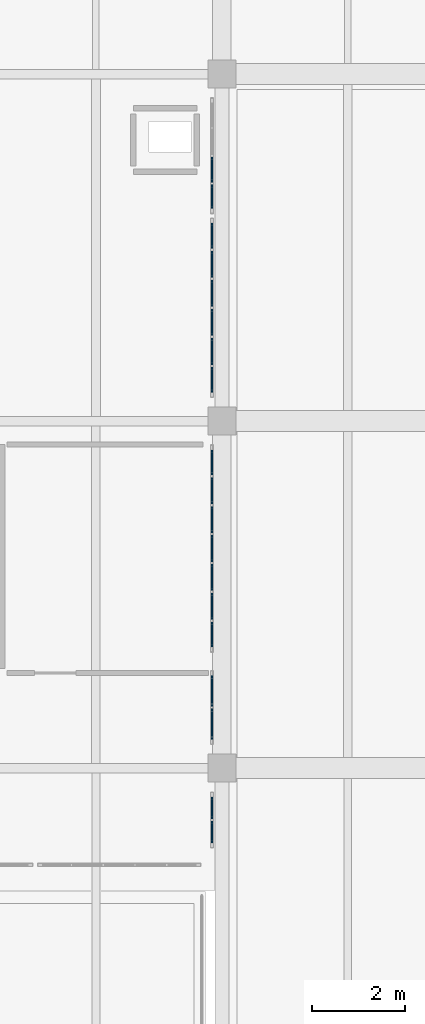
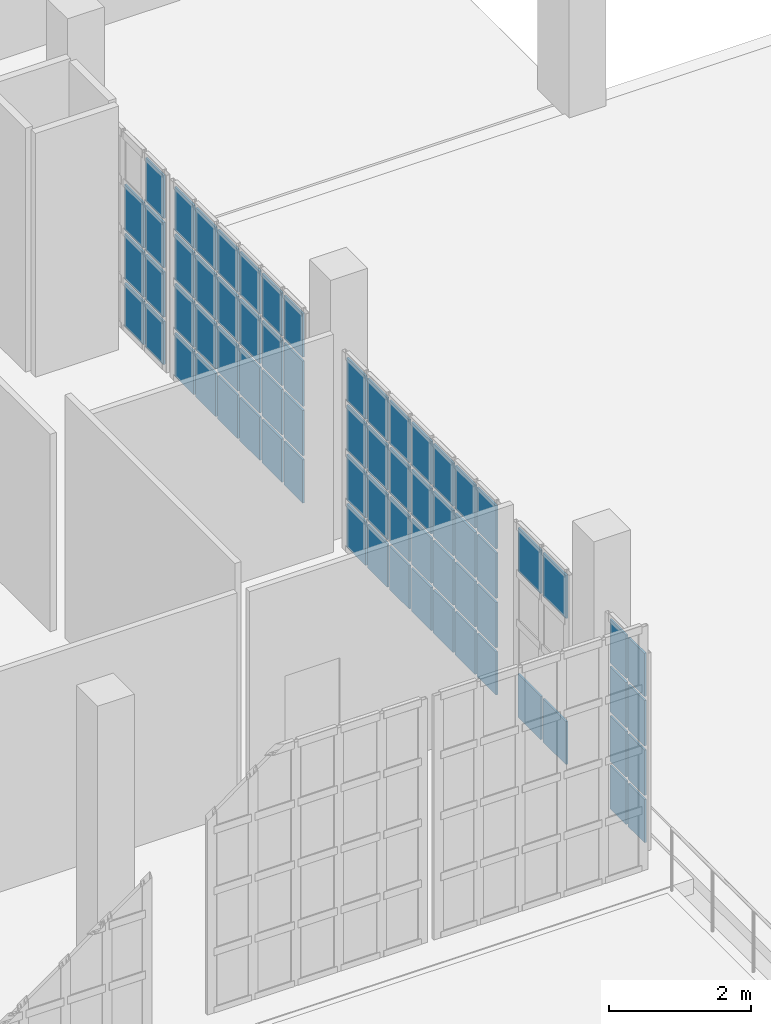
# One storey, part 57 of 73: 71 plates, 5 elements without a shape of their own.
"""IFC4 building model written with IfcOpenShell, lengths in metres."""

from ifc_helpers import new_model, si_unit, direction, frame, origin, origin_2d, place, context, subcontext, project, spatial, rectangle, extrude, material, layer, layer_set, type_object, element, aggregate, save


model = new_model("IFC4")

# Units and contexts
model_context = context("Model", 3, precision=1e-05, world=origin(), true_north=direction((0.0, 1.0)))
body_context = subcontext(model_context, "Body", "Model", "MODEL_VIEW")
ifc_project = project(units=[si_unit("LENGTHUNIT", "METRE"), si_unit("AREAUNIT", "SQUARE_METRE"), si_unit("VOLUMEUNIT", "CUBIC_METRE"), si_unit("PLANEANGLEUNIT", "RADIAN"), si_unit("MASSUNIT", "GRAM", prefix="KILO")], contexts=[model_context])

# Site, building, storey
site_placement = place(None, origin())
site = spatial("IfcSite", under=ifc_project, at=site_placement, CompositionType="ELEMENT")
building_placement = place(site_placement, origin())
building = spatial("IfcBuilding", under=site, at=building_placement, Name="Kaelora Sail Theatre", CompositionType="ELEMENT")
storey_placement = place(building_placement, frame((0.0, 0.0, 10.199951171875)))
storey = spatial("IfcBuildingStorey", under=building, at=storey_placement, Name="L02", CompositionType="ELEMENT", Elevation=10.199951171875)

# Curtain wall, plates
ifc_material_1 = material(Name="Anodised aluminium and solar-control low-E IGU", Category="aluminium")
curtain_wall_type = type_object("IfcCurtainWallType", Name="ARC-CW-CW-BRG", PredefinedType="NOTDEFINED", material=ifc_material_1)
curtain_wall_1_placement = place(storey_placement, origin())
curtain_wall_1 = element("IfcCurtainWall", 1, at=curtain_wall_1_placement, inside=storey, type_object=curtain_wall_type, Name="Glazed Colonnade/Courtyard Curtain Wall FC2-STEP-E-L02-01", PredefinedType="NOTDEFINED")
ifc_material_2 = material(Name="Solar-control laminated low-E glass", Category="glass")
ifc_layer = layer(ifc_material_2, 0.031982421875)
ifc_layer_set = layer_set([ifc_layer], Name="Solar-control laminated low-E glass")
plate_type = type_object("IfcPlateType", Name="ARC-CW-PNL", PredefinedType="CURTAIN_PANEL", material=ifc_layer_set)
plate_1_placement = place(storey_placement, frame((122.7900390625, 67.090087890625, 0.070068359375), z_axis=(0.0, 0.0, 1.0), x_axis=(0.0, 1.0, 0.0)))
plate_1 = element("IfcPlate", 2, at=plate_1_placement, type_object=plate_type, Name="CW-BRG panel 1.1", PredefinedType="CURTAIN_PANEL", context=body_context, shape_type="SweptSolid", body=[
    extrude(rectangle(XDim=0.4599609375, YDim=0.031982421875, at=origin_2d()), origin(), (0.0, 0.0, 1.0), 0.74658203125),
])
plate_2_placement = place(storey_placement, frame((122.7900390625, 67.090087890625, 0.88671875), z_axis=(0.0, 0.0, 1.0), x_axis=(0.0, 1.0, 0.0)))
plate_2 = element("IfcPlate", 3, at=plate_2_placement, type_object=plate_type, Name="CW-BRG panel 1.2", PredefinedType="CURTAIN_PANEL", context=body_context, shape_type="SweptSolid", body=[
    extrude(rectangle(XDim=0.4599609375, YDim=0.031982421875, at=origin_2d()), origin(), (0.0, 0.0, 1.0), 0.78173828125),
])
plate_3_placement = place(storey_placement, frame((122.7900390625, 67.090087890625, 1.738525390625), z_axis=(0.0, 0.0, 1.0), x_axis=(0.0, 1.0, 0.0)))
plate_3 = element("IfcPlate", 4, at=plate_3_placement, type_object=plate_type, Name="CW-BRG panel 1.3", PredefinedType="CURTAIN_PANEL", context=body_context, shape_type="SweptSolid", body=[
    extrude(rectangle(XDim=0.4599609375, YDim=0.031982421875, at=origin_2d()), origin(), (0.0, 0.0, 1.0), 0.78173828125),
])
plate_4_placement = place(storey_placement, frame((122.7900390625, 67.090087890625, 2.59033203125), z_axis=(0.0, 0.0, 1.0), x_axis=(0.0, 1.0, 0.0)))
plate_4 = element("IfcPlate", 5, at=plate_4_placement, type_object=plate_type, Name="CW-BRG panel 1.4", PredefinedType="CURTAIN_PANEL", context=body_context, shape_type="SweptSolid", body=[
    extrude(rectangle(XDim=0.4599609375, YDim=0.031982421875, at=origin_2d()), origin(), (0.0, 0.0, 1.0), 0.74658203125),
])
plate_5_placement = place(storey_placement, frame((122.7900390625, 67.610107421875, 0.070068359375), z_axis=(0.0, 0.0, 1.0), x_axis=(0.0, 1.0, 0.0)))
plate_5 = element("IfcPlate", 6, at=plate_5_placement, type_object=plate_type, Name="CW-BRG panel 2.1", PredefinedType="CURTAIN_PANEL", context=body_context, shape_type="SweptSolid", body=[
    extrude(rectangle(XDim=0.4599609375, YDim=0.031982421875, at=origin_2d()), origin(), (0.0, 0.0, 1.0), 0.74658203125),
])
plate_6_placement = place(storey_placement, frame((122.7900390625, 67.610107421875, 0.88671875), z_axis=(0.0, 0.0, 1.0), x_axis=(0.0, 1.0, 0.0)))
plate_6 = element("IfcPlate", 7, at=plate_6_placement, type_object=plate_type, Name="CW-BRG panel 2.2", PredefinedType="CURTAIN_PANEL", context=body_context, shape_type="SweptSolid", body=[
    extrude(rectangle(XDim=0.4599609375, YDim=0.031982421875, at=origin_2d()), origin(), (0.0, 0.0, 1.0), 0.78173828125),
])
plate_7_placement = place(storey_placement, frame((122.7900390625, 67.610107421875, 1.738525390625), z_axis=(0.0, 0.0, 1.0), x_axis=(0.0, 1.0, 0.0)))
plate_7 = element("IfcPlate", 8, at=plate_7_placement, type_object=plate_type, Name="CW-BRG panel 2.3", PredefinedType="CURTAIN_PANEL", context=body_context, shape_type="SweptSolid", body=[
    extrude(rectangle(XDim=0.4599609375, YDim=0.031982421875, at=origin_2d()), origin(), (0.0, 0.0, 1.0), 0.78173828125),
])
plate_8_placement = place(storey_placement, frame((122.7900390625, 67.610107421875, 2.59033203125), z_axis=(0.0, 0.0, 1.0), x_axis=(0.0, 1.0, 0.0)))
plate_8 = element("IfcPlate", 9, at=plate_8_placement, type_object=plate_type, Name="CW-BRG panel 2.4", PredefinedType="CURTAIN_PANEL", context=body_context, shape_type="SweptSolid", body=[
    extrude(rectangle(XDim=0.4599609375, YDim=0.031982421875, at=origin_2d()), origin(), (0.0, 0.0, 1.0), 0.74658203125),
])
aggregate(curtain_wall_1, [plate_1, plate_2, plate_3, plate_4, plate_5, plate_6, plate_7, plate_8])

curtain_wall_2_placement = place(storey_placement, origin())
curtain_wall_2 = element("IfcCurtainWall", 10, at=curtain_wall_2_placement, inside=storey, type_object=curtain_wall_type, Name="Glazed Colonnade/Courtyard Curtain Wall FC2-STEP-E-L02-01", PredefinedType="NOTDEFINED")
plate_9_placement = place(storey_placement, frame((122.7900390625, 69.405029296875, 0.070068359375), z_axis=(0.0, 0.0, 1.0), x_axis=(0.0, 1.0, 0.0)))
plate_9 = element("IfcPlate", 11, at=plate_9_placement, type_object=plate_type, Name="CW-BRG panel 1.1", PredefinedType="CURTAIN_PANEL", context=body_context, shape_type="SweptSolid", body=[
    extrude(rectangle(XDim=0.64990234375, YDim=0.031982421875, at=origin_2d()), origin(), (0.0, 0.0, 1.0), 0.74658203125),
])
plate_10_placement = place(storey_placement, frame((122.7900390625, 69.405029296875, 2.59033203125), z_axis=(0.0, 0.0, 1.0), x_axis=(0.0, 1.0, 0.0)))
plate_10 = element("IfcPlate", 12, at=plate_10_placement, type_object=plate_type, Name="CW-BRG panel 1.4", PredefinedType="CURTAIN_PANEL", context=body_context, shape_type="SweptSolid", body=[
    extrude(rectangle(XDim=0.64990234375, YDim=0.031982421875, at=origin_2d()), origin(), (0.0, 0.0, 1.0), 0.74658203125),
])
plate_11_placement = place(storey_placement, frame((122.7900390625, 70.114990234375, 0.070068359375), z_axis=(0.0, 0.0, 1.0), x_axis=(0.0, 1.0, 0.0)))
plate_11 = element("IfcPlate", 13, at=plate_11_placement, type_object=plate_type, Name="CW-BRG panel 2.1", PredefinedType="CURTAIN_PANEL", context=body_context, shape_type="SweptSolid", body=[
    extrude(rectangle(XDim=0.64990234375, YDim=0.031982421875, at=origin_2d()), origin(), (0.0, 0.0, 1.0), 0.74658203125),
])
plate_12_placement = place(storey_placement, frame((122.7900390625, 70.114990234375, 2.59033203125), z_axis=(0.0, 0.0, 1.0), x_axis=(0.0, 1.0, 0.0)))
plate_12 = element("IfcPlate", 14, at=plate_12_placement, type_object=plate_type, Name="CW-BRG panel 2.4", PredefinedType="CURTAIN_PANEL", context=body_context, shape_type="SweptSolid", body=[
    extrude(rectangle(XDim=0.64990234375, YDim=0.031982421875, at=origin_2d()), origin(), (0.0, 0.0, 1.0), 0.74658203125),
])
aggregate(curtain_wall_2, [plate_9, plate_10, plate_11, plate_12])

curtain_wall_3_placement = place(storey_placement, origin())
curtain_wall_3 = element("IfcCurtainWall", 15, at=curtain_wall_3_placement, inside=storey, type_object=curtain_wall_type, Name="Glazed Colonnade/Courtyard Curtain Wall FC2-STEP-E-L02-02", PredefinedType="NOTDEFINED")
plate_13_placement = place(storey_placement, frame((122.7900390625, 71.324951171875, 0.070068359375), z_axis=(0.0, 0.0, 1.0), x_axis=(0.0, 1.0, 0.0)))
plate_13 = element("IfcPlate", 16, at=plate_13_placement, type_object=plate_type, Name="CW-BRG panel 1.1", PredefinedType="CURTAIN_PANEL", context=body_context, shape_type="SweptSolid", body=[
    extrude(rectangle(XDim=0.530029296875, YDim=0.031982421875, at=origin_2d()), origin(), (0.0, 0.0, 1.0), 0.74658203125),
])
plate_14_placement = place(storey_placement, frame((122.7900390625, 71.324951171875, 0.88671875), z_axis=(0.0, 0.0, 1.0), x_axis=(0.0, 1.0, 0.0)))
plate_14 = element("IfcPlate", 17, at=plate_14_placement, type_object=plate_type, Name="CW-BRG panel 1.2", PredefinedType="CURTAIN_PANEL", context=body_context, shape_type="SweptSolid", body=[
    extrude(rectangle(XDim=0.530029296875, YDim=0.031982421875, at=origin_2d()), origin(), (0.0, 0.0, 1.0), 0.78173828125),
])
plate_15_placement = place(storey_placement, frame((122.7900390625, 71.324951171875, 1.738525390625), z_axis=(0.0, 0.0, 1.0), x_axis=(0.0, 1.0, 0.0)))
plate_15 = element("IfcPlate", 18, at=plate_15_placement, type_object=plate_type, Name="CW-BRG panel 1.3", PredefinedType="CURTAIN_PANEL", context=body_context, shape_type="SweptSolid", body=[
    extrude(rectangle(XDim=0.530029296875, YDim=0.031982421875, at=origin_2d()), origin(), (0.0, 0.0, 1.0), 0.78173828125),
])
plate_16_placement = place(storey_placement, frame((122.7900390625, 71.324951171875, 2.59033203125), z_axis=(0.0, 0.0, 1.0), x_axis=(0.0, 1.0, 0.0)))
plate_16 = element("IfcPlate", 19, at=plate_16_placement, type_object=plate_type, Name="CW-BRG panel 1.4", PredefinedType="CURTAIN_PANEL", context=body_context, shape_type="SweptSolid", body=[
    extrude(rectangle(XDim=0.530029296875, YDim=0.031982421875, at=origin_2d()), origin(), (0.0, 0.0, 1.0), 0.74658203125),
])
plate_17_placement = place(storey_placement, frame((122.7900390625, 71.929931640625, 0.070068359375), z_axis=(0.0, 0.0, 1.0), x_axis=(0.0, 1.0, 0.0)))
plate_17 = element("IfcPlate", 20, at=plate_17_placement, type_object=plate_type, Name="CW-BRG panel 2.1", PredefinedType="CURTAIN_PANEL", context=body_context, shape_type="SweptSolid", body=[
    extrude(rectangle(XDim=0.56005859375, YDim=0.031982421875, at=origin_2d()), origin(), (0.0, 0.0, 1.0), 0.74658203125),
])
plate_18_placement = place(storey_placement, frame((122.7900390625, 71.929931640625, 0.88671875), z_axis=(0.0, 0.0, 1.0), x_axis=(0.0, 1.0, 0.0)))
plate_18 = element("IfcPlate", 21, at=plate_18_placement, type_object=plate_type, Name="CW-BRG panel 2.2", PredefinedType="CURTAIN_PANEL", context=body_context, shape_type="SweptSolid", body=[
    extrude(rectangle(XDim=0.56005859375, YDim=0.031982421875, at=origin_2d()), origin(), (0.0, 0.0, 1.0), 0.78173828125),
])
plate_19_placement = place(storey_placement, frame((122.7900390625, 71.929931640625, 1.738525390625), z_axis=(0.0, 0.0, 1.0), x_axis=(0.0, 1.0, 0.0)))
plate_19 = element("IfcPlate", 22, at=plate_19_placement, type_object=plate_type, Name="CW-BRG panel 2.3", PredefinedType="CURTAIN_PANEL", context=body_context, shape_type="SweptSolid", body=[
    extrude(rectangle(XDim=0.56005859375, YDim=0.031982421875, at=origin_2d()), origin(), (0.0, 0.0, 1.0), 0.78173828125),
])
plate_20_placement = place(storey_placement, frame((122.7900390625, 71.929931640625, 2.59033203125), z_axis=(0.0, 0.0, 1.0), x_axis=(0.0, 1.0, 0.0)))
plate_20 = element("IfcPlate", 23, at=plate_20_placement, type_object=plate_type, Name="CW-BRG panel 2.4", PredefinedType="CURTAIN_PANEL", context=body_context, shape_type="SweptSolid", body=[
    extrude(rectangle(XDim=0.56005859375, YDim=0.031982421875, at=origin_2d()), origin(), (0.0, 0.0, 1.0), 0.74658203125),
])
plate_21_placement = place(storey_placement, frame((122.7900390625, 72.550048828125, 0.070068359375), z_axis=(0.0, 0.0, 1.0), x_axis=(0.0, 1.0, 0.0)))
plate_21 = element("IfcPlate", 24, at=plate_21_placement, type_object=plate_type, Name="CW-BRG panel 3.1", PredefinedType="CURTAIN_PANEL", context=body_context, shape_type="SweptSolid", body=[
    extrude(rectangle(XDim=0.56005859375, YDim=0.031982421875, at=origin_2d()), origin(), (0.0, 0.0, 1.0), 0.74658203125),
])
plate_22_placement = place(storey_placement, frame((122.7900390625, 72.550048828125, 0.88671875), z_axis=(0.0, 0.0, 1.0), x_axis=(0.0, 1.0, 0.0)))
plate_22 = element("IfcPlate", 25, at=plate_22_placement, type_object=plate_type, Name="CW-BRG panel 3.2", PredefinedType="CURTAIN_PANEL", context=body_context, shape_type="SweptSolid", body=[
    extrude(rectangle(XDim=0.56005859375, YDim=0.031982421875, at=origin_2d()), origin(), (0.0, 0.0, 1.0), 0.78173828125),
])
plate_23_placement = place(storey_placement, frame((122.7900390625, 72.550048828125, 1.738525390625), z_axis=(0.0, 0.0, 1.0), x_axis=(0.0, 1.0, 0.0)))
plate_23 = element("IfcPlate", 26, at=plate_23_placement, type_object=plate_type, Name="CW-BRG panel 3.3", PredefinedType="CURTAIN_PANEL", context=body_context, shape_type="SweptSolid", body=[
    extrude(rectangle(XDim=0.56005859375, YDim=0.031982421875, at=origin_2d()), origin(), (0.0, 0.0, 1.0), 0.78173828125),
])
plate_24_placement = place(storey_placement, frame((122.7900390625, 72.550048828125, 2.59033203125), z_axis=(0.0, 0.0, 1.0), x_axis=(0.0, 1.0, 0.0)))
plate_24 = element("IfcPlate", 27, at=plate_24_placement, type_object=plate_type, Name="CW-BRG panel 3.4", PredefinedType="CURTAIN_PANEL", context=body_context, shape_type="SweptSolid", body=[
    extrude(rectangle(XDim=0.56005859375, YDim=0.031982421875, at=origin_2d()), origin(), (0.0, 0.0, 1.0), 0.74658203125),
])
plate_25_placement = place(storey_placement, frame((122.7900390625, 73.169921875, 0.070068359375), z_axis=(0.0, 0.0, 1.0), x_axis=(0.0, 1.0, 0.0)))
plate_25 = element("IfcPlate", 28, at=plate_25_placement, type_object=plate_type, Name="CW-BRG panel 4.1", PredefinedType="CURTAIN_PANEL", context=body_context, shape_type="SweptSolid", body=[
    extrude(rectangle(XDim=0.56005859375, YDim=0.031982421875, at=origin_2d()), origin(), (0.0, 0.0, 1.0), 0.74658203125),
])
plate_26_placement = place(storey_placement, frame((122.7900390625, 73.169921875, 0.88671875), z_axis=(0.0, 0.0, 1.0), x_axis=(0.0, 1.0, 0.0)))
plate_26 = element("IfcPlate", 29, at=plate_26_placement, type_object=plate_type, Name="CW-BRG panel 4.2", PredefinedType="CURTAIN_PANEL", context=body_context, shape_type="SweptSolid", body=[
    extrude(rectangle(XDim=0.56005859375, YDim=0.031982421875, at=origin_2d()), origin(), (0.0, 0.0, 1.0), 0.78173828125),
])
plate_27_placement = place(storey_placement, frame((122.7900390625, 73.169921875, 1.738525390625), z_axis=(0.0, 0.0, 1.0), x_axis=(0.0, 1.0, 0.0)))
plate_27 = element("IfcPlate", 30, at=plate_27_placement, type_object=plate_type, Name="CW-BRG panel 4.3", PredefinedType="CURTAIN_PANEL", context=body_context, shape_type="SweptSolid", body=[
    extrude(rectangle(XDim=0.56005859375, YDim=0.031982421875, at=origin_2d()), origin(), (0.0, 0.0, 1.0), 0.78173828125),
])
plate_28_placement = place(storey_placement, frame((122.7900390625, 73.169921875, 2.59033203125), z_axis=(0.0, 0.0, 1.0), x_axis=(0.0, 1.0, 0.0)))
plate_28 = element("IfcPlate", 31, at=plate_28_placement, type_object=plate_type, Name="CW-BRG panel 4.4", PredefinedType="CURTAIN_PANEL", context=body_context, shape_type="SweptSolid", body=[
    extrude(rectangle(XDim=0.56005859375, YDim=0.031982421875, at=origin_2d()), origin(), (0.0, 0.0, 1.0), 0.74658203125),
])
plate_29_placement = place(storey_placement, frame((122.7900390625, 73.7900390625, 0.070068359375), z_axis=(0.0, 0.0, 1.0), x_axis=(0.0, 1.0, 0.0)))
plate_29 = element("IfcPlate", 32, at=plate_29_placement, type_object=plate_type, Name="CW-BRG panel 5.1", PredefinedType="CURTAIN_PANEL", context=body_context, shape_type="SweptSolid", body=[
    extrude(rectangle(XDim=0.56005859375, YDim=0.031982421875, at=origin_2d()), origin(), (0.0, 0.0, 1.0), 0.74658203125),
])
plate_30_placement = place(storey_placement, frame((122.7900390625, 73.7900390625, 0.88671875), z_axis=(0.0, 0.0, 1.0), x_axis=(0.0, 1.0, 0.0)))
plate_30 = element("IfcPlate", 33, at=plate_30_placement, type_object=plate_type, Name="CW-BRG panel 5.2", PredefinedType="CURTAIN_PANEL", context=body_context, shape_type="SweptSolid", body=[
    extrude(rectangle(XDim=0.56005859375, YDim=0.031982421875, at=origin_2d()), origin(), (0.0, 0.0, 1.0), 0.78173828125),
])
plate_31_placement = place(storey_placement, frame((122.7900390625, 73.7900390625, 1.738525390625), z_axis=(0.0, 0.0, 1.0), x_axis=(0.0, 1.0, 0.0)))
plate_31 = element("IfcPlate", 34, at=plate_31_placement, type_object=plate_type, Name="CW-BRG panel 5.3", PredefinedType="CURTAIN_PANEL", context=body_context, shape_type="SweptSolid", body=[
    extrude(rectangle(XDim=0.56005859375, YDim=0.031982421875, at=origin_2d()), origin(), (0.0, 0.0, 1.0), 0.78173828125),
])
plate_32_placement = place(storey_placement, frame((122.7900390625, 73.7900390625, 2.59033203125), z_axis=(0.0, 0.0, 1.0), x_axis=(0.0, 1.0, 0.0)))
plate_32 = element("IfcPlate", 35, at=plate_32_placement, type_object=plate_type, Name="CW-BRG panel 5.4", PredefinedType="CURTAIN_PANEL", context=body_context, shape_type="SweptSolid", body=[
    extrude(rectangle(XDim=0.56005859375, YDim=0.031982421875, at=origin_2d()), origin(), (0.0, 0.0, 1.0), 0.74658203125),
])
plate_33_placement = place(storey_placement, frame((122.7900390625, 74.409912109375, 0.070068359375), z_axis=(0.0, 0.0, 1.0), x_axis=(0.0, 1.0, 0.0)))
plate_33 = element("IfcPlate", 36, at=plate_33_placement, type_object=plate_type, Name="CW-BRG panel 6.1", PredefinedType="CURTAIN_PANEL", context=body_context, shape_type="SweptSolid", body=[
    extrude(rectangle(XDim=0.56005859375, YDim=0.031982421875, at=origin_2d()), origin(), (0.0, 0.0, 1.0), 0.74658203125),
])
plate_34_placement = place(storey_placement, frame((122.7900390625, 74.409912109375, 0.88671875), z_axis=(0.0, 0.0, 1.0), x_axis=(0.0, 1.0, 0.0)))
plate_34 = element("IfcPlate", 37, at=plate_34_placement, type_object=plate_type, Name="CW-BRG panel 6.2", PredefinedType="CURTAIN_PANEL", context=body_context, shape_type="SweptSolid", body=[
    extrude(rectangle(XDim=0.56005859375, YDim=0.031982421875, at=origin_2d()), origin(), (0.0, 0.0, 1.0), 0.78173828125),
])
plate_35_placement = place(storey_placement, frame((122.7900390625, 74.409912109375, 1.738525390625), z_axis=(0.0, 0.0, 1.0), x_axis=(0.0, 1.0, 0.0)))
plate_35 = element("IfcPlate", 38, at=plate_35_placement, type_object=plate_type, Name="CW-BRG panel 6.3", PredefinedType="CURTAIN_PANEL", context=body_context, shape_type="SweptSolid", body=[
    extrude(rectangle(XDim=0.56005859375, YDim=0.031982421875, at=origin_2d()), origin(), (0.0, 0.0, 1.0), 0.78173828125),
])
plate_36_placement = place(storey_placement, frame((122.7900390625, 74.409912109375, 2.59033203125), z_axis=(0.0, 0.0, 1.0), x_axis=(0.0, 1.0, 0.0)))
plate_36 = element("IfcPlate", 39, at=plate_36_placement, type_object=plate_type, Name="CW-BRG panel 6.4", PredefinedType="CURTAIN_PANEL", context=body_context, shape_type="SweptSolid", body=[
    extrude(rectangle(XDim=0.56005859375, YDim=0.031982421875, at=origin_2d()), origin(), (0.0, 0.0, 1.0), 0.74658203125),
])
plate_37_placement = place(storey_placement, frame((122.7900390625, 75.014892578125, 0.070068359375), z_axis=(0.0, 0.0, 1.0), x_axis=(0.0, 1.0, 0.0)))
plate_37 = element("IfcPlate", 40, at=plate_37_placement, type_object=plate_type, Name="CW-BRG panel 7.1", PredefinedType="CURTAIN_PANEL", context=body_context, shape_type="SweptSolid", body=[
    extrude(rectangle(XDim=0.530029296875, YDim=0.031982421875, at=origin_2d()), origin(), (0.0, 0.0, 1.0), 0.74658203125),
])
plate_38_placement = place(storey_placement, frame((122.7900390625, 75.014892578125, 0.88671875), z_axis=(0.0, 0.0, 1.0), x_axis=(0.0, 1.0, 0.0)))
plate_38 = element("IfcPlate", 41, at=plate_38_placement, type_object=plate_type, Name="CW-BRG panel 7.2", PredefinedType="CURTAIN_PANEL", context=body_context, shape_type="SweptSolid", body=[
    extrude(rectangle(XDim=0.530029296875, YDim=0.031982421875, at=origin_2d()), origin(), (0.0, 0.0, 1.0), 0.78173828125),
])
plate_39_placement = place(storey_placement, frame((122.7900390625, 75.014892578125, 1.738525390625), z_axis=(0.0, 0.0, 1.0), x_axis=(0.0, 1.0, 0.0)))
plate_39 = element("IfcPlate", 42, at=plate_39_placement, type_object=plate_type, Name="CW-BRG panel 7.3", PredefinedType="CURTAIN_PANEL", context=body_context, shape_type="SweptSolid", body=[
    extrude(rectangle(XDim=0.530029296875, YDim=0.031982421875, at=origin_2d()), origin(), (0.0, 0.0, 1.0), 0.78173828125),
])
plate_40_placement = place(storey_placement, frame((122.7900390625, 75.014892578125, 2.59033203125), z_axis=(0.0, 0.0, 1.0), x_axis=(0.0, 1.0, 0.0)))
plate_40 = element("IfcPlate", 43, at=plate_40_placement, type_object=plate_type, Name="CW-BRG panel 7.4", PredefinedType="CURTAIN_PANEL", context=body_context, shape_type="SweptSolid", body=[
    extrude(rectangle(XDim=0.530029296875, YDim=0.031982421875, at=origin_2d()), origin(), (0.0, 0.0, 1.0), 0.74658203125),
])
aggregate(curtain_wall_3, [plate_13, plate_14, plate_15, plate_16, plate_17, plate_18, plate_19, plate_20, plate_21, plate_22, plate_23, plate_24, plate_25, plate_26, plate_27, plate_28, plate_29, plate_30, plate_31, plate_32, plate_33, plate_34, plate_35, plate_36, plate_37, plate_38, plate_39, plate_40])

curtain_wall_4_placement = place(storey_placement, origin())
curtain_wall_4 = element("IfcCurtainWall", 44, at=curtain_wall_4_placement, inside=storey, type_object=curtain_wall_type, Name="Glazed Colonnade/Courtyard Curtain Wall FC2-STEP-E-L02-03", PredefinedType="NOTDEFINED")
plate_41_placement = place(storey_placement, frame((122.7900390625, 76.78662109375, 0.070068359375), z_axis=(0.0, 0.0, 1.0), x_axis=(0.0, 1.0, 0.0)))
plate_41 = element("IfcPlate", 45, at=plate_41_placement, type_object=plate_type, Name="CW-BRG panel 1.1", PredefinedType="CURTAIN_PANEL", context=body_context, shape_type="SweptSolid", body=[
    extrude(rectangle(XDim=0.533447265625, YDim=0.031982421875, at=origin_2d()), origin(), (0.0, 0.0, 1.0), 0.74658203125),
])
plate_42_placement = place(storey_placement, frame((122.7900390625, 76.78662109375, 0.88671875), z_axis=(0.0, 0.0, 1.0), x_axis=(0.0, 1.0, 0.0)))
plate_42 = element("IfcPlate", 46, at=plate_42_placement, type_object=plate_type, Name="CW-BRG panel 1.2", PredefinedType="CURTAIN_PANEL", context=body_context, shape_type="SweptSolid", body=[
    extrude(rectangle(XDim=0.533447265625, YDim=0.031982421875, at=origin_2d()), origin(), (0.0, 0.0, 1.0), 0.78173828125),
])
plate_43_placement = place(storey_placement, frame((122.7900390625, 76.78662109375, 1.738525390625), z_axis=(0.0, 0.0, 1.0), x_axis=(0.0, 1.0, 0.0)))
plate_43 = element("IfcPlate", 47, at=plate_43_placement, type_object=plate_type, Name="CW-BRG panel 1.3", PredefinedType="CURTAIN_PANEL", context=body_context, shape_type="SweptSolid", body=[
    extrude(rectangle(XDim=0.533447265625, YDim=0.031982421875, at=origin_2d()), origin(), (0.0, 0.0, 1.0), 0.78173828125),
])
plate_44_placement = place(storey_placement, frame((122.7900390625, 76.78662109375, 2.59033203125), z_axis=(0.0, 0.0, 1.0), x_axis=(0.0, 1.0, 0.0)))
plate_44 = element("IfcPlate", 48, at=plate_44_placement, type_object=plate_type, Name="CW-BRG panel 1.4", PredefinedType="CURTAIN_PANEL", context=body_context, shape_type="SweptSolid", body=[
    extrude(rectangle(XDim=0.533447265625, YDim=0.031982421875, at=origin_2d()), origin(), (0.0, 0.0, 1.0), 0.74658203125),
])
plate_45_placement = place(storey_placement, frame((122.7900390625, 77.39501953125, 0.070068359375), z_axis=(0.0, 0.0, 1.0), x_axis=(0.0, 1.0, 0.0)))
plate_45 = element("IfcPlate", 49, at=plate_45_placement, type_object=plate_type, Name="CW-BRG panel 2.1", PredefinedType="CURTAIN_PANEL", context=body_context, shape_type="SweptSolid", body=[
    extrude(rectangle(XDim=0.563232421875, YDim=0.031982421875, at=origin_2d()), origin(), (0.0, 0.0, 1.0), 0.74658203125),
])
plate_46_placement = place(storey_placement, frame((122.7900390625, 77.39501953125, 0.88671875), z_axis=(0.0, 0.0, 1.0), x_axis=(0.0, 1.0, 0.0)))
plate_46 = element("IfcPlate", 50, at=plate_46_placement, type_object=plate_type, Name="CW-BRG panel 2.2", PredefinedType="CURTAIN_PANEL", context=body_context, shape_type="SweptSolid", body=[
    extrude(rectangle(XDim=0.563232421875, YDim=0.031982421875, at=origin_2d()), origin(), (0.0, 0.0, 1.0), 0.78173828125),
])
plate_47_placement = place(storey_placement, frame((122.7900390625, 77.39501953125, 1.738525390625), z_axis=(0.0, 0.0, 1.0), x_axis=(0.0, 1.0, 0.0)))
plate_47 = element("IfcPlate", 51, at=plate_47_placement, type_object=plate_type, Name="CW-BRG panel 2.3", PredefinedType="CURTAIN_PANEL", context=body_context, shape_type="SweptSolid", body=[
    extrude(rectangle(XDim=0.563232421875, YDim=0.031982421875, at=origin_2d()), origin(), (0.0, 0.0, 1.0), 0.78173828125),
])
plate_48_placement = place(storey_placement, frame((122.7900390625, 77.39501953125, 2.59033203125), z_axis=(0.0, 0.0, 1.0), x_axis=(0.0, 1.0, 0.0)))
plate_48 = element("IfcPlate", 52, at=plate_48_placement, type_object=plate_type, Name="CW-BRG panel 2.4", PredefinedType="CURTAIN_PANEL", context=body_context, shape_type="SweptSolid", body=[
    extrude(rectangle(XDim=0.563232421875, YDim=0.031982421875, at=origin_2d()), origin(), (0.0, 0.0, 1.0), 0.74658203125),
])
plate_49_placement = place(storey_placement, frame((122.7900390625, 78.018310546875, 0.070068359375), z_axis=(0.0, 0.0, 1.0), x_axis=(0.0, 1.0, 0.0)))
plate_49 = element("IfcPlate", 53, at=plate_49_placement, type_object=plate_type, Name="CW-BRG panel 3.1", PredefinedType="CURTAIN_PANEL", context=body_context, shape_type="SweptSolid", body=[
    extrude(rectangle(XDim=0.563232421875, YDim=0.031982421875, at=origin_2d()), origin(), (0.0, 0.0, 1.0), 0.74658203125),
])
plate_50_placement = place(storey_placement, frame((122.7900390625, 78.018310546875, 0.88671875), z_axis=(0.0, 0.0, 1.0), x_axis=(0.0, 1.0, 0.0)))
plate_50 = element("IfcPlate", 54, at=plate_50_placement, type_object=plate_type, Name="CW-BRG panel 3.2", PredefinedType="CURTAIN_PANEL", context=body_context, shape_type="SweptSolid", body=[
    extrude(rectangle(XDim=0.563232421875, YDim=0.031982421875, at=origin_2d()), origin(), (0.0, 0.0, 1.0), 0.78173828125),
])
plate_51_placement = place(storey_placement, frame((122.7900390625, 78.018310546875, 1.738525390625), z_axis=(0.0, 0.0, 1.0), x_axis=(0.0, 1.0, 0.0)))
plate_51 = element("IfcPlate", 55, at=plate_51_placement, type_object=plate_type, Name="CW-BRG panel 3.3", PredefinedType="CURTAIN_PANEL", context=body_context, shape_type="SweptSolid", body=[
    extrude(rectangle(XDim=0.563232421875, YDim=0.031982421875, at=origin_2d()), origin(), (0.0, 0.0, 1.0), 0.78173828125),
])
plate_52_placement = place(storey_placement, frame((122.7900390625, 78.018310546875, 2.59033203125), z_axis=(0.0, 0.0, 1.0), x_axis=(0.0, 1.0, 0.0)))
plate_52 = element("IfcPlate", 56, at=plate_52_placement, type_object=plate_type, Name="CW-BRG panel 3.4", PredefinedType="CURTAIN_PANEL", context=body_context, shape_type="SweptSolid", body=[
    extrude(rectangle(XDim=0.563232421875, YDim=0.031982421875, at=origin_2d()), origin(), (0.0, 0.0, 1.0), 0.74658203125),
])
plate_53_placement = place(storey_placement, frame((122.7900390625, 78.6416015625, 0.070068359375), z_axis=(0.0, 0.0, 1.0), x_axis=(0.0, 1.0, 0.0)))
plate_53 = element("IfcPlate", 57, at=plate_53_placement, type_object=plate_type, Name="CW-BRG panel 4.1", PredefinedType="CURTAIN_PANEL", context=body_context, shape_type="SweptSolid", body=[
    extrude(rectangle(XDim=0.563232421875, YDim=0.031982421875, at=origin_2d()), origin(), (0.0, 0.0, 1.0), 0.74658203125),
])
plate_54_placement = place(storey_placement, frame((122.7900390625, 78.6416015625, 0.88671875), z_axis=(0.0, 0.0, 1.0), x_axis=(0.0, 1.0, 0.0)))
plate_54 = element("IfcPlate", 58, at=plate_54_placement, type_object=plate_type, Name="CW-BRG panel 4.2", PredefinedType="CURTAIN_PANEL", context=body_context, shape_type="SweptSolid", body=[
    extrude(rectangle(XDim=0.563232421875, YDim=0.031982421875, at=origin_2d()), origin(), (0.0, 0.0, 1.0), 0.78173828125),
])
plate_55_placement = place(storey_placement, frame((122.7900390625, 78.6416015625, 1.738525390625), z_axis=(0.0, 0.0, 1.0), x_axis=(0.0, 1.0, 0.0)))
plate_55 = element("IfcPlate", 59, at=plate_55_placement, type_object=plate_type, Name="CW-BRG panel 4.3", PredefinedType="CURTAIN_PANEL", context=body_context, shape_type="SweptSolid", body=[
    extrude(rectangle(XDim=0.563232421875, YDim=0.031982421875, at=origin_2d()), origin(), (0.0, 0.0, 1.0), 0.78173828125),
])
plate_56_placement = place(storey_placement, frame((122.7900390625, 78.6416015625, 2.59033203125), z_axis=(0.0, 0.0, 1.0), x_axis=(0.0, 1.0, 0.0)))
plate_56 = element("IfcPlate", 60, at=plate_56_placement, type_object=plate_type, Name="CW-BRG panel 4.4", PredefinedType="CURTAIN_PANEL", context=body_context, shape_type="SweptSolid", body=[
    extrude(rectangle(XDim=0.563232421875, YDim=0.031982421875, at=origin_2d()), origin(), (0.0, 0.0, 1.0), 0.74658203125),
])
plate_57_placement = place(storey_placement, frame((122.7900390625, 79.264892578125, 0.070068359375), z_axis=(0.0, 0.0, 1.0), x_axis=(0.0, 1.0, 0.0)))
plate_57 = element("IfcPlate", 61, at=plate_57_placement, type_object=plate_type, Name="CW-BRG panel 5.1", PredefinedType="CURTAIN_PANEL", context=body_context, shape_type="SweptSolid", body=[
    extrude(rectangle(XDim=0.563232421875, YDim=0.031982421875, at=origin_2d()), origin(), (0.0, 0.0, 1.0), 0.74658203125),
])
plate_58_placement = place(storey_placement, frame((122.7900390625, 79.264892578125, 0.88671875), z_axis=(0.0, 0.0, 1.0), x_axis=(0.0, 1.0, 0.0)))
plate_58 = element("IfcPlate", 62, at=plate_58_placement, type_object=plate_type, Name="CW-BRG panel 5.2", PredefinedType="CURTAIN_PANEL", context=body_context, shape_type="SweptSolid", body=[
    extrude(rectangle(XDim=0.563232421875, YDim=0.031982421875, at=origin_2d()), origin(), (0.0, 0.0, 1.0), 0.78173828125),
])
plate_59_placement = place(storey_placement, frame((122.7900390625, 79.264892578125, 1.738525390625), z_axis=(0.0, 0.0, 1.0), x_axis=(0.0, 1.0, 0.0)))
plate_59 = element("IfcPlate", 63, at=plate_59_placement, type_object=plate_type, Name="CW-BRG panel 5.3", PredefinedType="CURTAIN_PANEL", context=body_context, shape_type="SweptSolid", body=[
    extrude(rectangle(XDim=0.563232421875, YDim=0.031982421875, at=origin_2d()), origin(), (0.0, 0.0, 1.0), 0.78173828125),
])
plate_60_placement = place(storey_placement, frame((122.7900390625, 79.264892578125, 2.59033203125), z_axis=(0.0, 0.0, 1.0), x_axis=(0.0, 1.0, 0.0)))
plate_60 = element("IfcPlate", 64, at=plate_60_placement, type_object=plate_type, Name="CW-BRG panel 5.4", PredefinedType="CURTAIN_PANEL", context=body_context, shape_type="SweptSolid", body=[
    extrude(rectangle(XDim=0.563232421875, YDim=0.031982421875, at=origin_2d()), origin(), (0.0, 0.0, 1.0), 0.74658203125),
])
plate_61_placement = place(storey_placement, frame((122.7900390625, 79.873291015625, 0.070068359375), z_axis=(0.0, 0.0, 1.0), x_axis=(0.0, 1.0, 0.0)))
plate_61 = element("IfcPlate", 65, at=plate_61_placement, type_object=plate_type, Name="CW-BRG panel 6.1", PredefinedType="CURTAIN_PANEL", context=body_context, shape_type="SweptSolid", body=[
    extrude(rectangle(XDim=0.533447265625, YDim=0.031982421875, at=origin_2d()), origin(), (0.0, 0.0, 1.0), 0.74658203125),
])
plate_62_placement = place(storey_placement, frame((122.7900390625, 79.873291015625, 0.88671875), z_axis=(0.0, 0.0, 1.0), x_axis=(0.0, 1.0, 0.0)))
plate_62 = element("IfcPlate", 66, at=plate_62_placement, type_object=plate_type, Name="CW-BRG panel 6.2", PredefinedType="CURTAIN_PANEL", context=body_context, shape_type="SweptSolid", body=[
    extrude(rectangle(XDim=0.533447265625, YDim=0.031982421875, at=origin_2d()), origin(), (0.0, 0.0, 1.0), 0.78173828125),
])
plate_63_placement = place(storey_placement, frame((122.7900390625, 79.873291015625, 1.738525390625), z_axis=(0.0, 0.0, 1.0), x_axis=(0.0, 1.0, 0.0)))
plate_63 = element("IfcPlate", 67, at=plate_63_placement, type_object=plate_type, Name="CW-BRG panel 6.3", PredefinedType="CURTAIN_PANEL", context=body_context, shape_type="SweptSolid", body=[
    extrude(rectangle(XDim=0.533447265625, YDim=0.031982421875, at=origin_2d()), origin(), (0.0, 0.0, 1.0), 0.78173828125),
])
plate_64_placement = place(storey_placement, frame((122.7900390625, 79.873291015625, 2.59033203125), z_axis=(0.0, 0.0, 1.0), x_axis=(0.0, 1.0, 0.0)))
plate_64 = element("IfcPlate", 68, at=plate_64_placement, type_object=plate_type, Name="CW-BRG panel 6.4", PredefinedType="CURTAIN_PANEL", context=body_context, shape_type="SweptSolid", body=[
    extrude(rectangle(XDim=0.533447265625, YDim=0.031982421875, at=origin_2d()), origin(), (0.0, 0.0, 1.0), 0.74658203125),
])
aggregate(curtain_wall_4, [plate_41, plate_42, plate_43, plate_44, plate_45, plate_46, plate_47, plate_48, plate_49, plate_50, plate_51, plate_52, plate_53, plate_54, plate_55, plate_56, plate_57, plate_58, plate_59, plate_60, plate_61, plate_62, plate_63, plate_64])

curtain_wall_5_placement = place(storey_placement, origin())
curtain_wall_5 = element("IfcCurtainWall", 69, at=curtain_wall_5_placement, inside=storey, type_object=curtain_wall_type, Name="Glazed Colonnade/Courtyard Curtain Wall FC2-STEP-E-L02-04", PredefinedType="NOTDEFINED")
plate_65_placement = place(storey_placement, frame((122.7900390625, 80.71240234375, 0.070068359375), z_axis=(0.0, 0.0, 1.0), x_axis=(0.0, 1.0, 0.0)))
plate_65 = element("IfcPlate", 70, at=plate_65_placement, type_object=plate_type, Name="CW-BRG panel 1.1", PredefinedType="CURTAIN_PANEL", context=body_context, shape_type="SweptSolid", body=[
    extrude(rectangle(XDim=0.5048828125, YDim=0.031982421875, at=origin_2d()), origin(), (0.0, 0.0, 1.0), 0.74658203125),
])
plate_66_placement = place(storey_placement, frame((122.7900390625, 80.71240234375, 0.88671875), z_axis=(0.0, 0.0, 1.0), x_axis=(0.0, 1.0, 0.0)))
plate_66 = element("IfcPlate", 71, at=plate_66_placement, type_object=plate_type, Name="CW-BRG panel 1.2", PredefinedType="CURTAIN_PANEL", context=body_context, shape_type="SweptSolid", body=[
    extrude(rectangle(XDim=0.5048828125, YDim=0.031982421875, at=origin_2d()), origin(), (0.0, 0.0, 1.0), 0.78173828125),
])
plate_67_placement = place(storey_placement, frame((122.7900390625, 80.71240234375, 1.738525390625), z_axis=(0.0, 0.0, 1.0), x_axis=(0.0, 1.0, 0.0)))
plate_67 = element("IfcPlate", 72, at=plate_67_placement, type_object=plate_type, Name="CW-BRG panel 1.3", PredefinedType="CURTAIN_PANEL", context=body_context, shape_type="SweptSolid", body=[
    extrude(rectangle(XDim=0.5048828125, YDim=0.031982421875, at=origin_2d()), origin(), (0.0, 0.0, 1.0), 0.78173828125),
])
plate_68_placement = place(storey_placement, frame((122.7900390625, 80.71240234375, 2.59033203125), z_axis=(0.0, 0.0, 1.0), x_axis=(0.0, 1.0, 0.0)))
plate_68 = element("IfcPlate", 73, at=plate_68_placement, type_object=plate_type, Name="CW-BRG panel 1.4", PredefinedType="CURTAIN_PANEL", context=body_context, shape_type="SweptSolid", body=[
    extrude(rectangle(XDim=0.5048828125, YDim=0.031982421875, at=origin_2d()), origin(), (0.0, 0.0, 1.0), 0.74658203125),
])
plate_69_placement = place(storey_placement, frame((122.7900390625, 81.29248046875, 0.070068359375), z_axis=(0.0, 0.0, 1.0), x_axis=(0.0, 1.0, 0.0)))
plate_69 = element("IfcPlate", 74, at=plate_69_placement, type_object=plate_type, Name="CW-BRG panel 2.1", PredefinedType="CURTAIN_PANEL", context=body_context, shape_type="SweptSolid", body=[
    extrude(rectangle(XDim=0.534912109375, YDim=0.031982421875, at=origin_2d()), origin(), (0.0, 0.0, 1.0), 0.74658203125),
])
plate_70_placement = place(storey_placement, frame((122.7900390625, 81.29248046875, 0.88671875), z_axis=(0.0, 0.0, 1.0), x_axis=(0.0, 1.0, 0.0)))
plate_70 = element("IfcPlate", 75, at=plate_70_placement, type_object=plate_type, Name="CW-BRG panel 2.2", PredefinedType="CURTAIN_PANEL", context=body_context, shape_type="SweptSolid", body=[
    extrude(rectangle(XDim=0.534912109375, YDim=0.031982421875, at=origin_2d()), origin(), (0.0, 0.0, 1.0), 0.78173828125),
])
plate_71_placement = place(storey_placement, frame((122.7900390625, 81.29248046875, 1.738525390625), z_axis=(0.0, 0.0, 1.0), x_axis=(0.0, 1.0, 0.0)))
plate_71 = element("IfcPlate", 76, at=plate_71_placement, type_object=plate_type, Name="CW-BRG panel 2.3", PredefinedType="CURTAIN_PANEL", context=body_context, shape_type="SweptSolid", body=[
    extrude(rectangle(XDim=0.534912109375, YDim=0.031982421875, at=origin_2d()), origin(), (0.0, 0.0, 1.0), 0.78173828125),
])
aggregate(curtain_wall_5, [plate_65, plate_66, plate_67, plate_68, plate_69, plate_70, plate_71])

save(model, "model.ifc")
